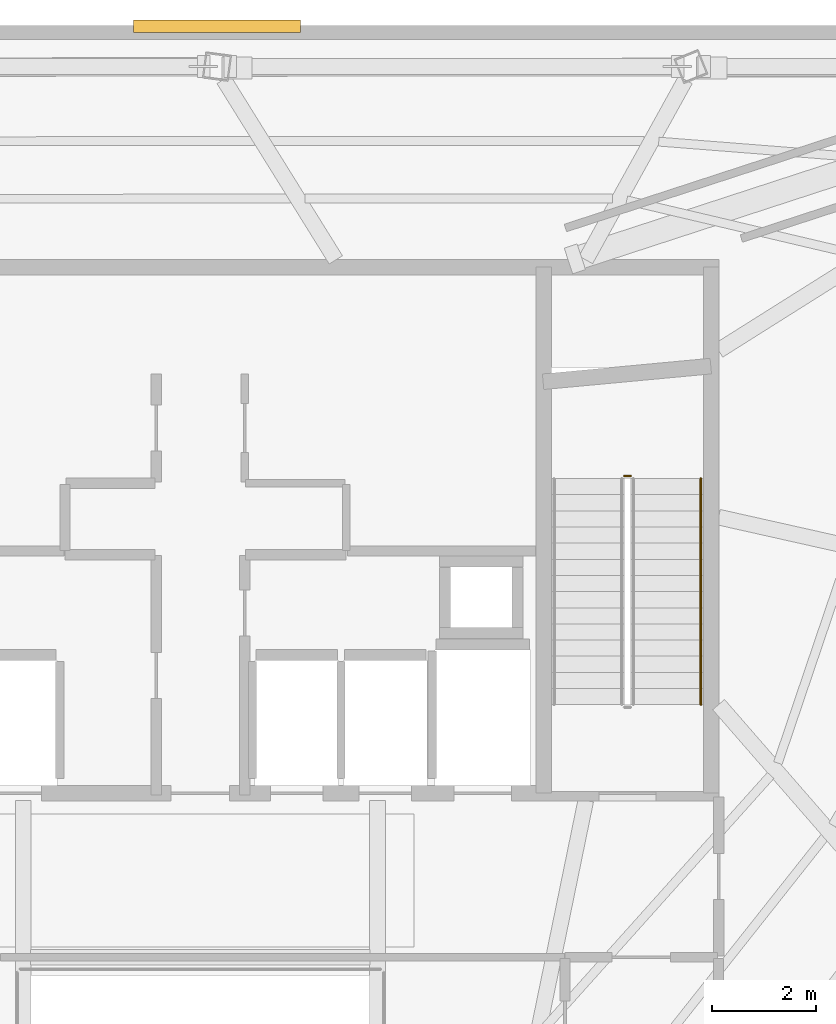
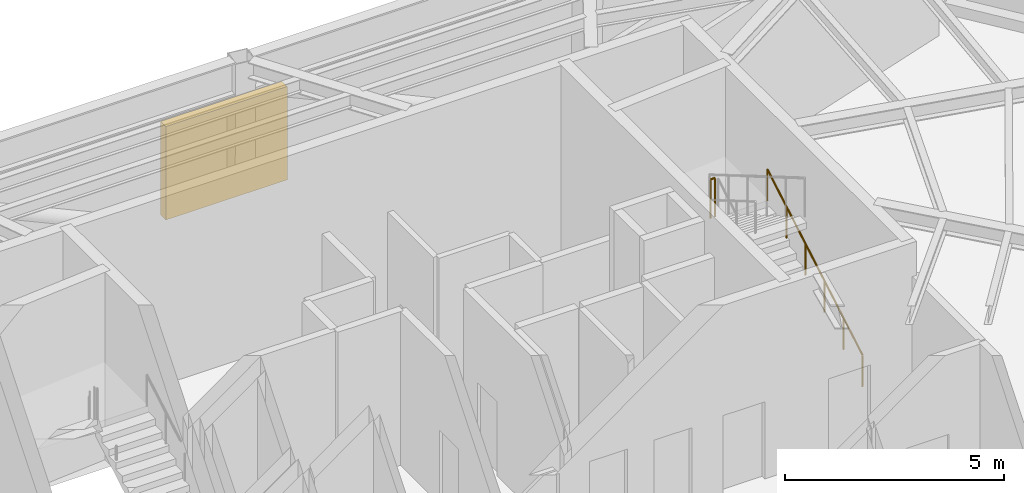
# One storey, part 9 of 9: 2 railings, 1 shading device.
"""IFC4 building model written with IfcOpenShell, lengths in metres."""

from ifc_helpers import new_model, si_unit, direction, frame, origin, origin_2d, place, context, subcontext, project, spatial, rectangle, circle, extrude, material, type_object, element, save


model = new_model("IFC4")

# Units and contexts
model_context = context("Model", 3, precision=1e-05, world=origin(), true_north=direction((0.0, 1.0)))
body_context = subcontext(model_context, "Body", "Model", "MODEL_VIEW")
ifc_project = project(units=[si_unit("LENGTHUNIT", "METRE"), si_unit("AREAUNIT", "SQUARE_METRE"), si_unit("VOLUMEUNIT", "CUBIC_METRE"), si_unit("PLANEANGLEUNIT", "RADIAN"), si_unit("MASSUNIT", "GRAM", prefix="KILO")], contexts=[model_context])

# Site, building, storey
site_placement = place(None, origin())
site = spatial("IfcSite", under=ifc_project, at=site_placement, CompositionType="ELEMENT")
building_placement = place(site_placement, origin())
building = spatial("IfcBuilding", under=site, at=building_placement, Name="Zarrinselat Tower", CompositionType="ELEMENT")
storey_placement = place(building_placement, frame((0.0, 0.0, 252.9599609375)))
storey = spatial("IfcBuildingStorey", under=building, at=storey_placement, Name="L64", CompositionType="ELEMENT", Elevation=252.9599609375)

# Railings
ifc_material_1 = material(Name="Steel S355J2", Category="steel")
railing_type_1 = type_object("IfcRailingType", Name="RLG-STAIR-GUARD", PredefinedType="GUARDRAIL", material=ifc_material_1)
railing_1_placement = place(storey_placement, frame((46.659912109375, 39.389892578125, 2.719970703125)))
element("IfcRailing", 1, at=railing_1_placement, inside=storey, type_object=railing_type_1, Name="L64 ST-2 stair guard 2", PredefinedType="GUARDRAIL", context=body_context, shape_type="SweptSolid", body=[
    extrude(circle(Radius=0.02392578125, at=origin_2d()), frame((0.0, 0.0, 1.076171875), z_axis=(-1.0, 0.0, 0.0), x_axis=(0.0, -1.0, 0.0)), (0.0, 0.0, 1.0), 0.119873046875),
    extrude(circle(Radius=0.02099609375, at=origin_2d()), origin(), (0.0, 0.0, 1.0), 1.050048828125),
    extrude(circle(Radius=0.02099609375, at=origin_2d()), frame((-0.119873046875, 0.0, 0.0)), (0.0, 0.0, 1.0), 1.050048828125),
])
ifc_material_2 = material(Name="Steel S355J2", Category="steel")
railing_type_2 = type_object("IfcRailingType", Name="RLG-STAIR-HAND", PredefinedType="HANDRAIL", material=ifc_material_2)
railing_2_placement = place(storey_placement, frame((48.010009765625, 35.0, 0.181396484375)))
element("IfcRailing", 2, at=railing_2_placement, inside=storey, type_object=railing_type_2, Name="L64 ST-2 stair handrail 1", PredefinedType="HANDRAIL", context=body_context, shape_type="SweptSolid", body=[
    extrude(circle(Radius=0.02392578125, at=origin_2d()), frame((0.0, 0.0, 0.8759765625), z_axis=(0.0, 0.863184808233, 0.504888093379), x_axis=(-1.0, 0.0, 0.0)), (0.0, 0.0, 1.0), 5.028076171875),
    extrude(circle(Radius=0.02099609375, at=origin_2d()), origin(), (0.0, 0.0, 1.0), 0.849853515625),
    extrude(circle(Radius=0.02099609375, at=origin_2d()), frame((0.0, 0.867919921875, 0.5078125)), (0.0, 0.0, 1.0), 0.849853515625),
    extrude(circle(Radius=0.02099609375, at=origin_2d()), frame((0.0, 1.736083984375, 1.015380859375)), (0.0, 0.0, 1.0), 0.849853515625),
    extrude(circle(Radius=0.02099609375, at=origin_2d()), frame((0.0, 2.60400390625, 1.523193359375)), (0.0, 0.0, 1.0), 0.849853515625),
    extrude(circle(Radius=0.02099609375, at=origin_2d()), frame((0.0, 3.47216796875, 2.03076171875)), (0.0, 0.0, 1.0), 0.849853515625),
    extrude(circle(Radius=0.02099609375, at=origin_2d()), frame((0.0, 4.340087890625, 2.53857421875)), (0.0, 0.0, 1.0), 0.849853515625),
])

# Shading device
ifc_material_3 = material(Name="Extruded Aluminium Alloy EN AW-6063 T6", Category="aluminium")
shading_device_type = type_object("IfcShadingDeviceType", Name="SHD-PLANT-LOUVRE", PredefinedType="JALOUSIE", material=ifc_material_3)
shading_device_placement = place(storey_placement, frame((38.718994140625, 48.025634765625, 0.800048828125), z_axis=(0.0, 0.0, 1.0), x_axis=(-1.0, 0.0, 0.0)))
element("IfcShadingDevice", 3, at=shading_device_placement, inside=storey, type_object=shading_device_type, Name="L64 Acoustic Plant Intake Louvre 1", PredefinedType="JALOUSIE", context=body_context, shape_type="SweptSolid", body=[
    extrude(rectangle(XDim=3.199951171875, YDim=0.239990234375, at=origin_2d()), origin(), (0.0, 0.0, 1.0), 2.60009765625),
])

save(model, "model.ifc")
